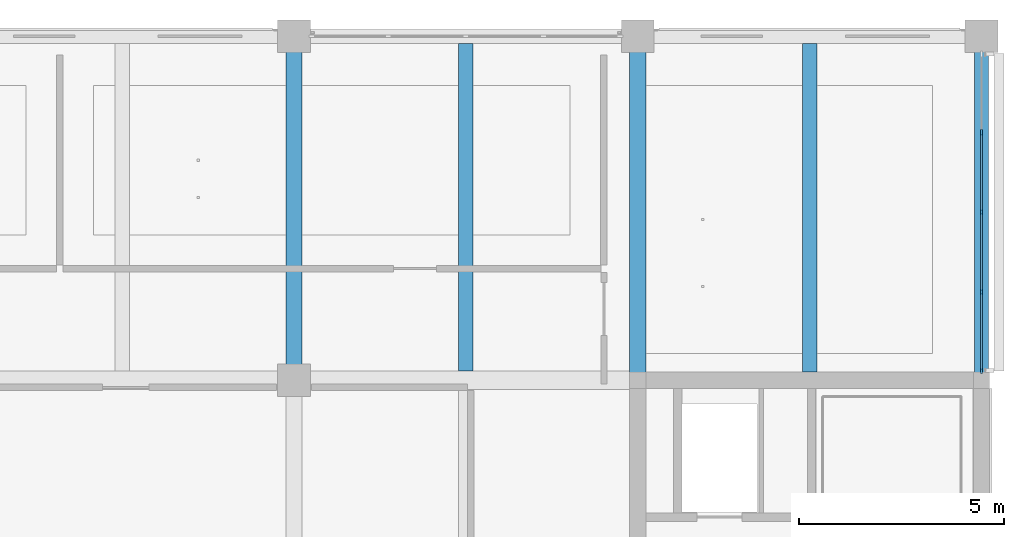
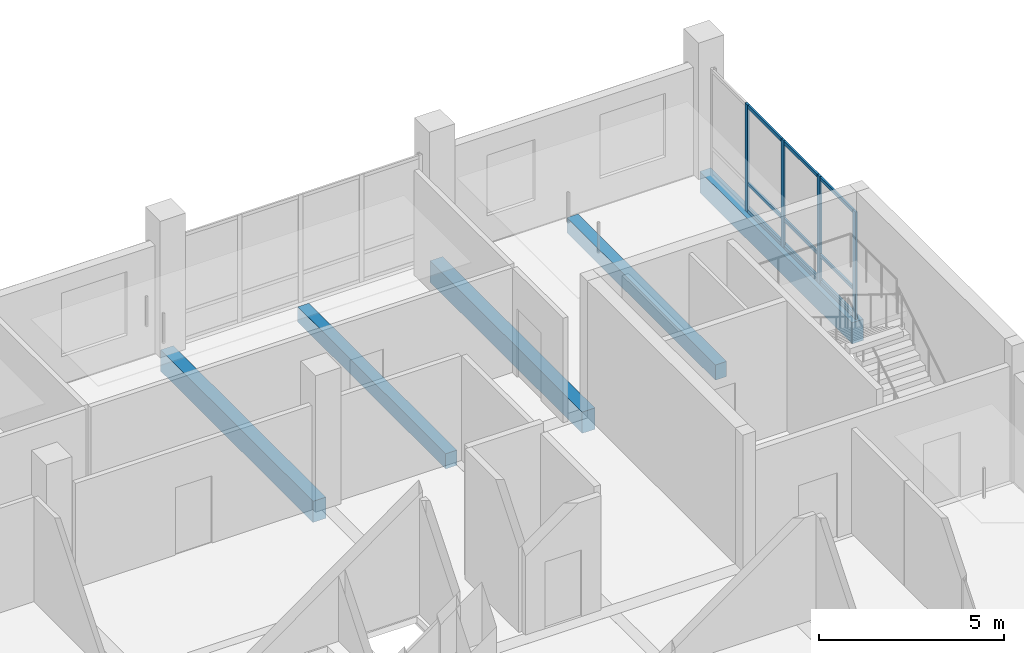
# One storey, part 7 of 34: 13 members, 5 beams, 1 element without a shape of its own.
"""IFC4 building model written with IfcOpenShell, lengths in metres."""

from ifc_helpers import new_model, si_unit, direction, frame, origin, origin_2d, place, context, subcontext, project, spatial, rectangle, extrude, material, layer, layer_set, material_profile, profile_set, type_object, element, aggregate, save


model = new_model("IFC4")

# Units and contexts
model_context = context("Model", 3, precision=1e-05, world=origin(), true_north=direction((0.0, 1.0)))
body_context = subcontext(model_context, "Body", "Model", "MODEL_VIEW")
ifc_project = project(units=[si_unit("LENGTHUNIT", "METRE"), si_unit("AREAUNIT", "SQUARE_METRE"), si_unit("VOLUMEUNIT", "CUBIC_METRE"), si_unit("PLANEANGLEUNIT", "RADIAN"), si_unit("MASSUNIT", "GRAM", prefix="KILO")], contexts=[model_context])

# Site, building, storey
site_placement = place(None, origin())
site = spatial("IfcSite", under=ifc_project, at=site_placement, CompositionType="ELEMENT")
building_placement = place(site_placement, origin())
building = spatial("IfcBuilding", under=site, at=building_placement, Name="Telukmera Botanical Conservatory", CompositionType="ELEMENT")
storey_placement = place(building_placement, frame((0.0, 0.0, 37.5)))
storey = spatial("IfcBuildingStorey", under=building, at=storey_placement, Name="L08", CompositionType="ELEMENT", Elevation=37.5)

# Beams
ifc_material_1 = material(Name="Concrete C40/50", Category="concrete")
ifc_material_profile_1 = material_profile(ifc_material_1, rectangle(XDim=0.35009765625, YDim=0.5, at=origin_2d()), Name="RC 350x500")
ifc_profile_set_1 = profile_set([ifc_material_profile_1], Name="Concrete C40/50")
beam_type_1 = type_object("IfcBeamType", Name="Beam_B22", PredefinedType="JOIST", material=ifc_profile_set_1)
beam_1_placement = place(storey_placement, frame((88.199951171875, 34.625, -0.25), z_axis=(0.0, 1.0, 0.0), x_axis=(-1.0, 0.0, 0.0)))
element("IfcBeam", 1, at=beam_1_placement, inside=storey, type_object=beam_type_1, Name="Tower Secondary Floor Joist L08", PredefinedType="JOIST", context=body_context, shape_type="SweptSolid", body=[
    extrude(rectangle(XDim=0.35009765625, YDim=0.5, at=origin_2d()), origin(), (0.0, 0.0, 1.0), 8.0),
])
beam_2_placement = place(storey_placement, frame((96.60009765625, 34.60009765625, -0.25), z_axis=(0.0, 1.0, 0.0), x_axis=(-1.0, 0.0, 0.0)))
element("IfcBeam", 2, at=beam_2_placement, inside=storey, type_object=beam_type_1, Name="Tower Secondary Floor Joist L08", PredefinedType="JOIST", context=body_context, shape_type="SweptSolid", body=[
    extrude(rectangle(XDim=0.35009765625, YDim=0.5, at=origin_2d()), origin(), (0.0, 0.0, 1.0), 8.02490234375),
])
ifc_material_profile_2 = material_profile(ifc_material_1, rectangle(XDim=0.39990234375, YDim=0.699951171875, at=origin_2d()), Name="RC 400x700")
ifc_profile_set_2 = profile_set([ifc_material_profile_2], Name="Concrete C40/50")
beam_type_2 = type_object("IfcBeamType", Name="Beam_B7", PredefinedType="BEAM", material=ifc_profile_set_2)
for number, where, z_axis, x_axis, name in (
    (3, (84.0, 34.47998046875, -0.35009765625), (0.0, 1.0, 0.0), (-1.0, 0.0, 0.0), "Tower Transverse Beam L08"),
    (4, (92.39990234375, 34.47998046875, -0.35009765625), (0.0, 1.0, 0.0), (-1.0, 0.0, 0.0), "Tower Transverse Beam L08"),
):
    element("IfcBeam", number, at=place(storey_placement, frame(where, z_axis=z_axis, x_axis=x_axis)), inside=storey, type_object=beam_type_2, Name=name, PredefinedType="BEAM", context=body_context, shape_type="SweptSolid", body=[
        extrude(rectangle(XDim=0.39990234375, YDim=0.699951171875, at=origin_2d()), origin(), (0.0, 0.0, 1.0), 8.239990234375),
    ])
ifc_material_2 = material(Name="Precast concrete C40/50", Category="concrete")
ifc_material_profile_3 = material_profile(ifc_material_2, rectangle(XDim=0.35009765625, YDim=0.699951171875, at=origin_2d()), Name="PC 350x700")
ifc_profile_set_3 = profile_set([ifc_material_profile_3], Name="Precast concrete C40/50")
beam_type_3 = type_object("IfcBeamType", Name="Beam_SP2", PredefinedType="SPANDREL", material=ifc_profile_set_3)
beam_3_placement = place(storey_placement, frame((100.800048828125, 34.47998046875, -0.35009765625), z_axis=(0.0, 1.0, 0.0), x_axis=(-1.0, 0.0, 0.0)))
element("IfcBeam", 5, at=beam_3_placement, inside=storey, type_object=beam_type_3, Name="Tower Transverse Beam L08", PredefinedType="SPANDREL", context=body_context, shape_type="SweptSolid", body=[
    extrude(rectangle(XDim=0.35009765625, YDim=0.699951171875, at=origin_2d()), origin(), (0.0, 0.0, 1.0), 8.239990234375),
])

# Curtain wall, members
ifc_material_3 = material(Name="Anodised aluminium 6063-T6", Category="aluminium")
ifc_layer = layer(ifc_material_3, 0.179931640625)
ifc_layer_set = layer_set([ifc_layer], Name="Anodised aluminium 6063-T6")
curtain_wall_type = type_object("IfcCurtainWallType", Name="Tower Research Laboratory Unitised Curtain Wall", PredefinedType="USERDEFINED", material=ifc_layer_set)
curtain_wall_placement = place(storey_placement, origin())
curtain_wall = element("IfcCurtainWall", 6, at=curtain_wall_placement, inside=storey, type_object=curtain_wall_type, Name="Unitised Curtain Wall CW15 V4:L08:E4", ObjectType="UNITISED CURTAIN WALL", PredefinedType="USERDEFINED")
ifc_material_profile_4 = material_profile(ifc_material_3, rectangle(XDim=0.06005859375, YDim=0.139892578125, at=origin_2d()), Name="ALU MULL 60x140")
ifc_profile_set_4 = profile_set([ifc_material_profile_4], Name="Anodised aluminium 6063-T6")
member_type_1 = type_object("IfcMemberType", Name="Curtain Wall Extruded Mullion 60x140", PredefinedType="MULLION", material=ifc_profile_set_4)
member_1_placement = place(storey_placement, frame((100.800048828125, 34.632080078125, 0.0), z_axis=(0.0, 0.0, 1.0), x_axis=(-1.0, 0.0, 0.0)))
member_1 = element("IfcMember", 7, at=member_1_placement, type_object=member_type_1, Name="CW15 mullion 1", PredefinedType="MULLION", context=body_context, shape_type="SweptSolid", body=[
    extrude(rectangle(XDim=0.06005859375, YDim=0.139892578125, at=origin_2d()), origin(), (0.0, 0.0, 1.0), 3.550048828125),
])
member_2_placement = place(storey_placement, frame((100.800048828125, 36.551025390625, 0.0), z_axis=(0.0, 0.0, 1.0), x_axis=(-1.0, 0.0, 0.0)))
member_2 = element("IfcMember", 8, at=member_2_placement, type_object=member_type_1, Name="CW15 mullion 2", PredefinedType="MULLION", context=body_context, shape_type="SweptSolid", body=[
    extrude(rectangle(XDim=0.06005859375, YDim=0.139892578125, at=origin_2d()), origin(), (0.0, 0.0, 1.0), 3.550048828125),
])
member_3_placement = place(storey_placement, frame((100.800048828125, 38.5, 0.0), z_axis=(0.0, 0.0, 1.0), x_axis=(-1.0, 0.0, 0.0)))
member_3 = element("IfcMember", 9, at=member_3_placement, type_object=member_type_1, Name="CW15 mullion 3", PredefinedType="MULLION", context=body_context, shape_type="SweptSolid", body=[
    extrude(rectangle(XDim=0.06005859375, YDim=0.139892578125, at=origin_2d()), origin(), (0.0, 0.0, 1.0), 3.550048828125),
])
member_4_placement = place(storey_placement, frame((100.800048828125, 40.448974609375, 0.0), z_axis=(0.0, 0.0, 1.0), x_axis=(-1.0, 0.0, 0.0)))
member_4 = element("IfcMember", 10, at=member_4_placement, type_object=member_type_1, Name="CW15 mullion 4", PredefinedType="MULLION", context=body_context, shape_type="SweptSolid", body=[
    extrude(rectangle(XDim=0.06005859375, YDim=0.139892578125, at=origin_2d()), origin(), (0.0, 0.0, 1.0), 3.550048828125),
])
ifc_material_profile_5 = material_profile(ifc_material_3, rectangle(XDim=0.06005859375, YDim=0.110107421875, at=origin_2d()), Name="ALU TRAN 60x110")
ifc_profile_set_5 = profile_set([ifc_material_profile_5], Name="Anodised aluminium 6063-T6")
member_type_2 = type_object("IfcMemberType", Name="Curtain Wall Extruded Transom 60x110", PredefinedType="USERDEFINED", material=ifc_profile_set_5)
member_5_placement = place(storey_placement, frame((100.800048828125, 34.662109375, 0.054931640625), z_axis=(0.0, 1.0, 0.0), x_axis=(-1.0, 0.0, 0.0)))
member_5 = element("IfcMember", 11, at=member_5_placement, type_object=member_type_2, Name="CW15 transom 1.1", ObjectType="TRANSOM", PredefinedType="USERDEFINED", context=body_context, shape_type="SweptSolid", body=[
    extrude(rectangle(XDim=0.06005859375, YDim=0.110107421875, at=origin_2d()), origin(), (0.0, 0.0, 1.0), 1.85888671875),
])
member_6_placement = place(storey_placement, frame((100.800048828125, 34.662109375, 0.949951171875), z_axis=(0.0, 1.0, 0.0), x_axis=(-1.0, 0.0, 0.0)))
member_6 = element("IfcMember", 12, at=member_6_placement, type_object=member_type_2, Name="CW15 transom 1.2", ObjectType="TRANSOM", PredefinedType="USERDEFINED", context=body_context, shape_type="SweptSolid", body=[
    extrude(rectangle(XDim=0.06005859375, YDim=0.110107421875, at=origin_2d()), origin(), (0.0, 0.0, 1.0), 1.85888671875),
])
member_7_placement = place(storey_placement, frame((100.800048828125, 34.662109375, 3.4951171875), z_axis=(0.0, 1.0, 0.0), x_axis=(-1.0, 0.0, 0.0)))
member_7 = element("IfcMember", 13, at=member_7_placement, type_object=member_type_2, Name="CW15 transom 1.3", ObjectType="TRANSOM", PredefinedType="USERDEFINED", context=body_context, shape_type="SweptSolid", body=[
    extrude(rectangle(XDim=0.06005859375, YDim=0.110107421875, at=origin_2d()), origin(), (0.0, 0.0, 1.0), 1.85888671875),
])
member_8_placement = place(storey_placement, frame((100.800048828125, 36.5810546875, 0.054931640625), z_axis=(0.0, 1.0, 0.0), x_axis=(-1.0, 0.0, 0.0)))
member_8 = element("IfcMember", 14, at=member_8_placement, type_object=member_type_2, Name="CW15 transom 2.1", ObjectType="TRANSOM", PredefinedType="USERDEFINED", context=body_context, shape_type="SweptSolid", body=[
    extrude(rectangle(XDim=0.06005859375, YDim=0.110107421875, at=origin_2d()), origin(), (0.0, 0.0, 1.0), 1.888916015625),
])
member_9_placement = place(storey_placement, frame((100.800048828125, 36.5810546875, 0.949951171875), z_axis=(0.0, 1.0, 0.0), x_axis=(-1.0, 0.0, 0.0)))
member_9 = element("IfcMember", 15, at=member_9_placement, type_object=member_type_2, Name="CW15 transom 2.2", ObjectType="TRANSOM", PredefinedType="USERDEFINED", context=body_context, shape_type="SweptSolid", body=[
    extrude(rectangle(XDim=0.06005859375, YDim=0.110107421875, at=origin_2d()), origin(), (0.0, 0.0, 1.0), 1.888916015625),
])
member_10_placement = place(storey_placement, frame((100.800048828125, 36.5810546875, 3.4951171875), z_axis=(0.0, 1.0, 0.0), x_axis=(-1.0, 0.0, 0.0)))
member_10 = element("IfcMember", 16, at=member_10_placement, type_object=member_type_2, Name="CW15 transom 2.3", ObjectType="TRANSOM", PredefinedType="USERDEFINED", context=body_context, shape_type="SweptSolid", body=[
    extrude(rectangle(XDim=0.06005859375, YDim=0.110107421875, at=origin_2d()), origin(), (0.0, 0.0, 1.0), 1.888916015625),
])
member_11_placement = place(storey_placement, frame((100.800048828125, 38.530029296875, 0.054931640625), z_axis=(0.0, 1.0, 0.0), x_axis=(-1.0, 0.0, 0.0)))
member_11 = element("IfcMember", 17, at=member_11_placement, type_object=member_type_2, Name="CW15 transom 3.1", ObjectType="TRANSOM", PredefinedType="USERDEFINED", context=body_context, shape_type="SweptSolid", body=[
    extrude(rectangle(XDim=0.06005859375, YDim=0.110107421875, at=origin_2d()), origin(), (0.0, 0.0, 1.0), 1.888916015625),
])
member_12_placement = place(storey_placement, frame((100.800048828125, 38.530029296875, 0.949951171875), z_axis=(0.0, 1.0, 0.0), x_axis=(-1.0, 0.0, 0.0)))
member_12 = element("IfcMember", 18, at=member_12_placement, type_object=member_type_2, Name="CW15 transom 3.2", ObjectType="TRANSOM", PredefinedType="USERDEFINED", context=body_context, shape_type="SweptSolid", body=[
    extrude(rectangle(XDim=0.06005859375, YDim=0.110107421875, at=origin_2d()), origin(), (0.0, 0.0, 1.0), 1.888916015625),
])
member_13_placement = place(storey_placement, frame((100.800048828125, 38.530029296875, 3.4951171875), z_axis=(0.0, 1.0, 0.0), x_axis=(-1.0, 0.0, 0.0)))
member_13 = element("IfcMember", 19, at=member_13_placement, type_object=member_type_2, Name="CW15 transom 3.3", ObjectType="TRANSOM", PredefinedType="USERDEFINED", context=body_context, shape_type="SweptSolid", body=[
    extrude(rectangle(XDim=0.06005859375, YDim=0.110107421875, at=origin_2d()), origin(), (0.0, 0.0, 1.0), 1.888916015625),
])
aggregate(curtain_wall, [member_1, member_2, member_3, member_4, member_5, member_6, member_7, member_8, member_9, member_10, member_11, member_12, member_13])

save(model, "model.ifc")
